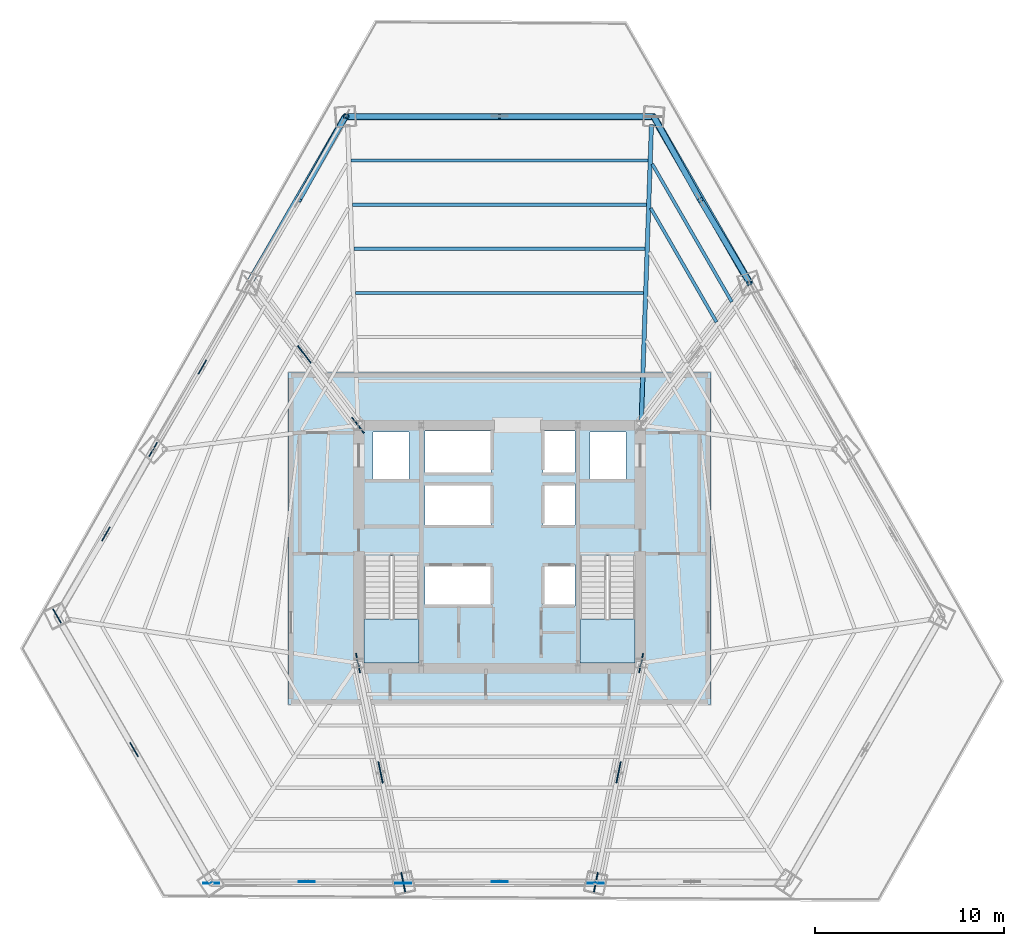
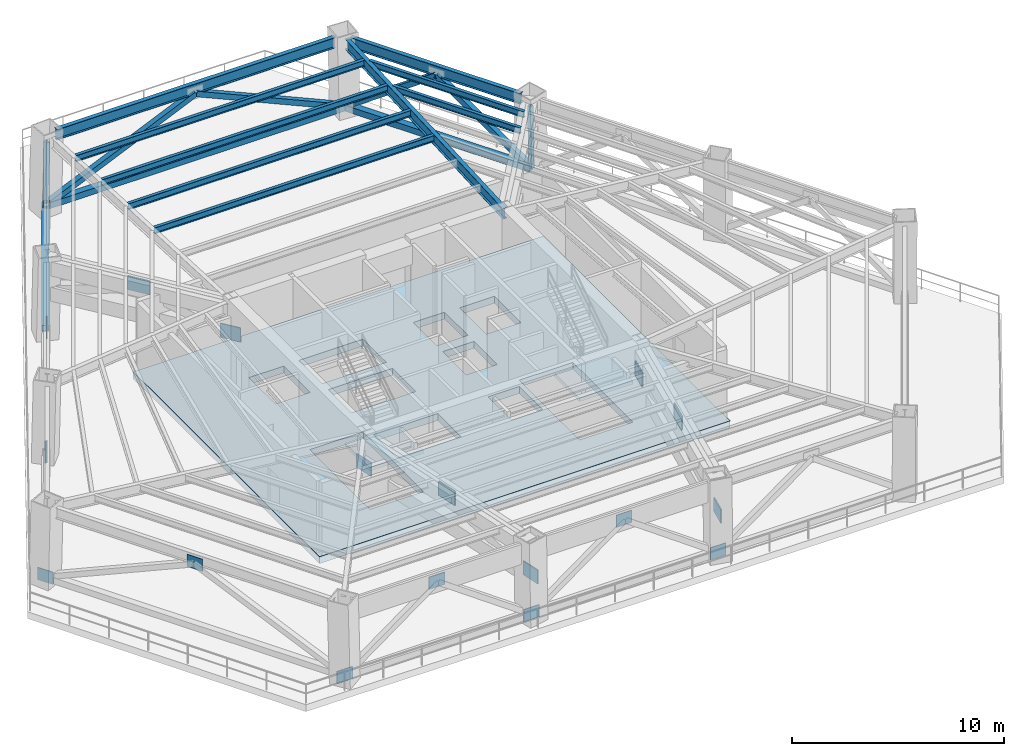
# One storey, part 6 of 13: 18 plates, 10 members, 9 beams, 3 slabs, 2 elements without a shape of their own.
"""IFC4 building model written with IfcOpenShell, lengths in metres."""

from ifc_helpers import new_model, si_unit, direction, frame, origin, origin_2d, place, context, subcontext, project, spatial, polyline, rectangle, hollow_rectangle, i_section, outline, extrude, source, transform, mapped, material, layer, layer_set, material_profile, profile_set, type_object, type_shapes, element, aggregate, save


model = new_model("IFC4")

# Units and contexts
model_context = context("Model", 3, precision=1e-05, world=origin(), true_north=direction((0.0, 1.0)))
body_context = subcontext(model_context, "Body", "Model", "MODEL_VIEW")
ifc_project = project(units=[si_unit("LENGTHUNIT", "METRE"), si_unit("AREAUNIT", "SQUARE_METRE"), si_unit("VOLUMEUNIT", "CUBIC_METRE"), si_unit("PLANEANGLEUNIT", "RADIAN"), si_unit("MASSUNIT", "GRAM", prefix="KILO")], contexts=[model_context])

# Site, building, storey
site_placement = place(None, origin())
site = spatial("IfcSite", under=ifc_project, at=site_placement, CompositionType="ELEMENT")
building_placement = place(site_placement, origin())
building = spatial("IfcBuilding", under=site, at=building_placement, Name="Caelisora Broadcast Tower", CompositionType="ELEMENT")
storey_placement = place(building_placement, frame((0.0, 0.0, 75.050048828125)))
storey = spatial("IfcBuildingStorey", under=building, at=storey_placement, Name="L19", CompositionType="ELEMENT", Elevation=75.050048828125)

# Beams
ifc_material_1 = material(Name="Steel Grade 350 (AS/NZS 3679.1)", Category="steel")
ifc_material_profile_1 = material_profile(ifc_material_1, i_section(OverallWidth=0.22900390625, OverallDepth=0.611572265625, WebThickness=0.011962890625, FlangeThickness=0.01953125, at=origin_2d()), Name="Steel Grade 350 (AS/NZS 3679.1)")
ifc_profile_set_1 = profile_set([ifc_material_profile_1], Name="Steel Grade 350 (AS/NZS 3679.1)")
beam_type_1 = type_object("IfcBeamType", Name="PG03", PredefinedType="BEAM", material=ifc_profile_set_1)
shared_shape_1 = source(origin(), body_context, "Body", "SweptSolid", [
    extrude(i_section(OverallWidth=0.22900390625, OverallDepth=0.611572265625, WebThickness=0.011962890625, FlangeThickness=0.01953125, at=origin_2d()), origin(), (0.0, 0.0, 1.0), 15.20703125),
])
beam_1_placement = place(storey_placement, frame((45.603515625, 46.364013671875, 4.244140625), z_axis=(-1.0, 0.0, 0.0), x_axis=(0.0, -1.0, 0.0)))
element("IfcBeam", 1, at=beam_1_placement, inside=storey, type_object=beam_type_1, Name="L19 beam PG03", PredefinedType="BEAM", context=body_context, shape_type="MappedRepresentation", body=[
    mapped(shared_shape_1, transform((0.0, 0.0, 0.0), scale=1.0)),
])
shared_shape_2 = source(origin(), body_context, "Body", "SweptSolid", [
    extrude(i_section(OverallWidth=0.22900390625, OverallDepth=0.611572265625, WebThickness=0.011962890625, FlangeThickness=0.01953125, at=origin_2d()), origin(), (0.0, 0.0, 1.0), 9.3037109375),
])
type_shapes(beam_type_1, [shared_shape_1, shared_shape_2])
beam_2_placement = place(storey_placement, frame((50.9453125, 37.908203125, 4.244140625), z_axis=(-0.499994274208, 0.866028709547, 0.0), x_axis=(-0.866028709547, -0.499994274208, 0.0)))
element("IfcBeam", 2, at=beam_2_placement, inside=storey, type_object=beam_type_1, Name="L19 beam PG03", PredefinedType="BEAM", context=body_context, shape_type="MappedRepresentation", body=[
    mapped(shared_shape_2, transform((0.0, 0.0, 0.0), scale=1.0)),
])
ifc_material_profile_2 = material_profile(ifc_material_1, i_section(OverallWidth=0.22802734375, OverallDepth=0.602294921875, WebThickness=0.010498046875, FlangeThickness=0.014892578125, at=origin_2d()), Name="Steel Grade 350 (AS/NZS 3679.1)")
ifc_profile_set_2 = profile_set([ifc_material_profile_2], Name="Steel Grade 350 (AS/NZS 3679.1)")
beam_type_2 = type_object("IfcBeamType", Name="PG04", PredefinedType="BEAM", material=ifc_profile_set_2)
shared_shape_3 = source(origin(), body_context, "Body", "SweptSolid", [
    extrude(i_section(OverallWidth=0.22802734375, OverallDepth=0.602294921875, WebThickness=0.010498046875, FlangeThickness=0.014892578125, at=origin_2d()), origin(), (0.0, 0.0, 1.0), 15.8935546875),
])
type_shapes(beam_type_2, [shared_shape_3])
beam_3_placement = place(storey_placement, frame((45.502197265625, 30.06005859375, 4.248779296875), z_axis=(0.034393497447, 0.999408368653, 0.0), x_axis=(-0.999408368653, 0.034393497447, 0.0)))
element("IfcBeam", 3, at=beam_3_placement, inside=storey, type_object=beam_type_2, Name="L19 beam PG04", PredefinedType="BEAM", context=body_context, shape_type="MappedRepresentation", body=[
    mapped(shared_shape_3, transform((0.0, 0.0, 0.0), scale=1.0)),
])
ifc_material_profile_3 = material_profile(ifc_material_1, i_section(OverallWidth=0.172119140625, OverallDepth=0.358642578125, WebThickness=0.008056640625, FlangeThickness=0.012939453125, at=origin_2d()), Name="Steel Grade 350 (AS/NZS 3679.1)")
ifc_profile_set_3 = profile_set([ifc_material_profile_3], Name="Steel Grade 350 (AS/NZS 3679.1)")
beam_type_3 = type_object("IfcBeamType", Name="SB02", PredefinedType="JOIST", material=ifc_profile_set_3)
shared_shape_4 = source(origin(), body_context, "Body", "SweptSolid", [
    extrude(i_section(OverallWidth=0.172119140625, OverallDepth=0.358642578125, WebThickness=0.008056640625, FlangeThickness=0.012939453125, at=origin_2d()), origin(), (0.0, 0.0, 1.0), 15.2607421875),
])
beam_4_placement = place(storey_placement, frame((45.63037109375, 37.01318359375, 4.37060546875), z_axis=(-1.0, 0.0, 0.0), x_axis=(0.0, -1.0, 0.0)))
element("IfcBeam", 4, at=beam_4_placement, inside=storey, type_object=beam_type_3, Name="L19 beam SB02", PredefinedType="JOIST", context=body_context, shape_type="MappedRepresentation", body=[
    mapped(shared_shape_4, transform((0.0, 0.0, 0.0), scale=1.0)),
])
shared_shape_5 = source(origin(), body_context, "Body", "SweptSolid", [
    extrude(i_section(OverallWidth=0.172119140625, OverallDepth=0.358642578125, WebThickness=0.008056640625, FlangeThickness=0.012939453125, at=origin_2d()), origin(), (0.0, 0.0, 1.0), 15.42138671875),
])
beam_5_placement = place(storey_placement, frame((45.710693359375, 39.350830078125, 4.37060546875), z_axis=(-1.0, 0.0, 0.0), x_axis=(0.0, -1.0, 0.0)))
element("IfcBeam", 5, at=beam_5_placement, inside=storey, type_object=beam_type_3, Name="L19 beam SB02", PredefinedType="JOIST", context=body_context, shape_type="MappedRepresentation", body=[
    mapped(shared_shape_5, transform((0.0, 0.0, 0.0), scale=1.0)),
])
shared_shape_6 = source(origin(), body_context, "Body", "SweptSolid", [
    extrude(i_section(OverallWidth=0.172119140625, OverallDepth=0.358642578125, WebThickness=0.008056640625, FlangeThickness=0.012939453125, at=origin_2d()), origin(), (0.0, 0.0, 1.0), 15.58251953125),
])
beam_6_placement = place(storey_placement, frame((45.791259765625, 41.688720703125, 4.37060546875), z_axis=(-1.0, 0.0, 0.0), x_axis=(0.0, -1.0, 0.0)))
element("IfcBeam", 6, at=beam_6_placement, inside=storey, type_object=beam_type_3, Name="L19 beam SB02", PredefinedType="JOIST", context=body_context, shape_type="MappedRepresentation", body=[
    mapped(shared_shape_6, transform((0.0, 0.0, 0.0), scale=1.0)),
])
shared_shape_7 = source(origin(), body_context, "Body", "SweptSolid", [
    extrude(i_section(OverallWidth=0.172119140625, OverallDepth=0.358642578125, WebThickness=0.008056640625, FlangeThickness=0.012939453125, at=origin_2d()), origin(), (0.0, 0.0, 1.0), 15.74365234375),
])
beam_7_placement = place(storey_placement, frame((45.871826171875, 44.0263671875, 4.37060546875), z_axis=(-1.0, 0.0, 0.0), x_axis=(0.0, -1.0, 0.0)))
element("IfcBeam", 7, at=beam_7_placement, inside=storey, type_object=beam_type_3, Name="L19 beam SB02", PredefinedType="JOIST", context=body_context, shape_type="MappedRepresentation", body=[
    mapped(shared_shape_7, transform((0.0, 0.0, 0.0), scale=1.0)),
])
shared_shape_8 = source(origin(), body_context, "Body", "SweptSolid", [
    extrude(i_section(OverallWidth=0.172119140625, OverallDepth=0.358642578125, WebThickness=0.008056640625, FlangeThickness=0.012939453125, at=origin_2d()), origin(), (0.0, 0.0, 1.0), 6.9697265625),
])
beam_8_placement = place(storey_placement, frame((49.493408203125, 35.46875, 4.37060546875), z_axis=(-0.500004447669, 0.866022835906, 0.0), x_axis=(-0.866022835906, -0.500004447669, 0.0)))
element("IfcBeam", 8, at=beam_8_placement, inside=storey, type_object=beam_type_3, Name="L19 beam SB02", PredefinedType="JOIST", context=body_context, shape_type="MappedRepresentation", body=[
    mapped(shared_shape_8, transform((0.0, 0.0, 0.0), scale=1.0)),
])
shared_shape_9 = source(origin(), body_context, "Body", "SweptSolid", [
    extrude(i_section(OverallWidth=0.172119140625, OverallDepth=0.358642578125, WebThickness=0.008056640625, FlangeThickness=0.012939453125, at=origin_2d()), origin(), (0.0, 0.0, 1.0), 8.43017578125),
])
type_shapes(beam_type_3, [shared_shape_4, shared_shape_5, shared_shape_6, shared_shape_7, shared_shape_8, shared_shape_9])
beam_9_placement = place(storey_placement, frame((50.30419921875, 36.54150390625, 4.37060546875), z_axis=(-0.499998209175, 0.866026437715, 0.0), x_axis=(-0.866026437715, -0.499998209175, 0.0)))
element("IfcBeam", 9, at=beam_9_placement, inside=storey, type_object=beam_type_3, Name="L19 beam SB02", PredefinedType="JOIST", context=body_context, shape_type="MappedRepresentation", body=[
    mapped(shared_shape_9, transform((0.0, 0.0, 0.0), scale=1.0)),
])

# Members
ifc_material_2 = material(Name="Steel Grade 350 (AS/NZS 1163 C350L0)", Category="steel")
ifc_material_profile_4 = material_profile(ifc_material_2, hollow_rectangle(XDim=0.35009765625, YDim=0.35009765625, WallThickness=0.01611328125, at=origin_2d()), Name="Steel Grade 350 (AS/NZS 1163 C350L0)")
ifc_profile_set_4 = profile_set([ifc_material_profile_4], Name="Steel Grade 350 (AS/NZS 1163 C350L0)")
member_type_1 = type_object("IfcMemberType", Name="OR05", PredefinedType="CHORD", material=ifc_profile_set_4)
shared_shape_10 = source(origin(), body_context, "Body", "SweptSolid", [
    extrude(hollow_rectangle(XDim=0.35009765625, YDim=0.35009765625, WallThickness=0.01611328125, at=origin_2d()), origin(), (0.0, 0.0, 1.0), 16.33935546875),
])
member_1_placement = place(storey_placement, frame((46.169677734375, 46.356201171875, 0.349853515625), z_axis=(-1.0, 0.0, 0.0), x_axis=(0.0, -1.0, 0.0)))
element("IfcMember", 10, at=member_1_placement, inside=storey, type_object=member_type_1, Name="L19 belt chord OR05", PredefinedType="CHORD", context=body_context, shape_type="MappedRepresentation", body=[
    mapped(shared_shape_10, transform((0.0, 0.0, 0.0), scale=1.0)),
])
ifc_material_profile_5 = material_profile(ifc_material_2, hollow_rectangle(XDim=0.300048828125, YDim=0.300048828125, WallThickness=0.012451171875, at=origin_2d()), Name="Steel Grade 350 (AS/NZS 1163 C350L0)")
ifc_profile_set_5 = profile_set([ifc_material_profile_5], Name="Steel Grade 350 (AS/NZS 1163 C350L0)")
member_type_2 = type_object("IfcMemberType", Name="OR06", PredefinedType="STRUT", material=ifc_profile_set_5)
shared_shape_11 = source(origin(), body_context, "Body", "SweptSolid", [
    extrude(hollow_rectangle(XDim=0.300048828125, YDim=0.300048828125, WallThickness=0.012451171875, at=origin_2d()), origin(), (0.0, 0.0, 1.0), 8.935791015625),
])
for number, where, z_axis, x_axis, name in (
    (11, (46.169677734375, 46.356201171875, 0.349853515625), (-0.914261420413, 0.000710360605, 0.40512411744), (-0.000776977323, -0.999999698153, 0.0), "L19 belt diagonal OR06"),
    (12, (29.830322265625, 46.356201171875, 0.349853515625), (0.914261420413, 0.000710360605, 0.40512411744), (-0.000776977323, 0.999999698153, 0.0), "L19 belt diagonal OR06"),
):
    element("IfcMember", number, at=place(storey_placement, frame(where, z_axis=z_axis, x_axis=x_axis)), inside=storey, type_object=member_type_2, Name=name, PredefinedType="STRUT", context=body_context, shape_type="MappedRepresentation", body=[
        mapped(shared_shape_11, transform((0.0, 0.0, 0.0), scale=1.0)),
    ])
shared_shape_12 = source(origin(), body_context, "Body", "SweptSolid", [
    extrude(hollow_rectangle(XDim=0.35009765625, YDim=0.35009765625, WallThickness=0.01611328125, at=origin_2d()), origin(), (0.0, 0.0, 1.0), 10.184326171875),
])
type_shapes(member_type_1, [shared_shape_10, shared_shape_12])
for number, where, z_axis, x_axis, name in (
    (13, (29.830322265625, 46.356201171875, 0.349853515625), (-0.49999360249, -0.866029097357, 0.0), (0.866029097357, -0.49999360249, 0.0), "L19 belt chord OR05"),
    (14, (51.26171875, 37.536376953125, 0.349853515625), (-0.49999360249, 0.866029097357, 0.0), (-0.866029097357, -0.49999360249, 0.0), "L19 belt chord OR05"),
):
    element("IfcMember", number, at=place(storey_placement, frame(where, z_axis=z_axis, x_axis=x_axis)), inside=storey, type_object=member_type_1, Name=name, PredefinedType="CHORD", context=body_context, shape_type="MappedRepresentation", body=[
        mapped(shared_shape_12, transform((0.0, 0.0, 0.0), scale=1.0)),
    ])
shared_shape_13 = source(origin(), body_context, "Body", "SweptSolid", [
    extrude(hollow_rectangle(XDim=0.300048828125, YDim=0.300048828125, WallThickness=0.012451171875, at=origin_2d()), origin(), (0.0, 0.0, 1.0), 6.2216796875),
])
for number, where, z_axis, x_axis, name in (
    (15, (29.830322265625, 46.356201171875, 0.349853515625), (-0.39664108219, -0.710014220533, 0.581855358796), (0.873012363828, -0.48769807525, 0.0), "L19 belt diagonal OR06"),
    (16, (46.169677734375, 46.356201171875, 0.349853515625), (0.396608014554, -0.710025271133, 0.581864414743), (0.873032906224, 0.487661301161, 0.0), "L19 belt diagonal OR06"),
):
    element("IfcMember", number, at=place(storey_placement, frame(where, z_axis=z_axis, x_axis=x_axis)), inside=storey, type_object=member_type_2, Name=name, PredefinedType="STRUT", context=body_context, shape_type="MappedRepresentation", body=[
        mapped(shared_shape_13, transform((0.0, 0.0, 0.0), scale=1.0)),
    ])
shared_shape_14 = source(origin(), body_context, "Body", "SweptSolid", [
    extrude(hollow_rectangle(XDim=0.300048828125, YDim=0.300048828125, WallThickness=0.012451171875, at=origin_2d()), origin(), (0.0, 0.0, 1.0), 6.27490234375),
])
type_shapes(member_type_2, [shared_shape_11, shared_shape_13, shared_shape_14])
member_2_placement = place(storey_placement, frame((51.26171875, 37.536376953125, 0.349853515625), z_axis=(-0.418257825074, 0.701583730394, 0.57692344467), x_axis=(-0.858943750908, -0.512069949105, 0.0)))
element("IfcMember", 17, at=member_2_placement, inside=storey, type_object=member_type_2, Name="L19 belt diagonal OR06", PredefinedType="STRUT", context=body_context, shape_type="MappedRepresentation", body=[
    mapped(shared_shape_14, transform((0.0, 0.0, 0.0), scale=1.0)),
])
ifc_material_profile_6 = material_profile(ifc_material_2, hollow_rectangle(XDim=0.199951171875, YDim=0.199951171875, WallThickness=0.009033203125, at=origin_2d()), Name="Steel Grade 350 (AS/NZS 1163 C350L0)")
ifc_profile_set_6 = profile_set([ifc_material_profile_6], Name="Steel Grade 350 (AS/NZS 1163 C350L0)")
member_type_3 = type_object("IfcMemberType", Name="TR14", PredefinedType="POST", material=ifc_profile_set_6)
shared_shape_15 = source(origin(), body_context, "Body", "SweptSolid", [
    extrude(hollow_rectangle(XDim=0.199951171875, YDim=0.199951171875, WallThickness=0.009033203125, at=origin_2d()), origin(), (0.0, 0.0, 1.0), 3.62109375),
])
member_3_placement = place(storey_placement, frame((29.830322265625, 46.356201171875, 0.349853515625), z_axis=(0.023866915103, 0.001752937267, 0.999713607777), x_axis=(-0.073249027479, 0.997313681834, 0.0)))
element("IfcMember", 18, at=member_3_placement, inside=storey, type_object=member_type_3, Name="L19 transfer post TR14", PredefinedType="POST", context=body_context, shape_type="MappedRepresentation", body=[
    mapped(shared_shape_15, transform((0.0, 0.0, 0.0), scale=1.0)),
])
shared_shape_16 = source(origin(), body_context, "Body", "SweptSolid", [
    extrude(hollow_rectangle(XDim=0.199951171875, YDim=0.199951171875, WallThickness=0.009033203125, at=origin_2d()), origin(), (0.0, 0.0, 1.0), 3.620849609375),
])
type_shapes(member_type_3, [shared_shape_15, shared_shape_16])
member_4_placement = place(storey_placement, frame((51.26171875, 37.536376953125, 0.349853515625), z_axis=(-0.019418701638, -0.006000918215, 0.999793430168), x_axis=(0.295251213444, -0.955419656988, 0.0)))
element("IfcMember", 19, at=member_4_placement, inside=storey, type_object=member_type_3, Name="L19 transfer post TR14", PredefinedType="POST", context=body_context, shape_type="MappedRepresentation", body=[
    mapped(shared_shape_16, transform((0.0, 0.0, 0.0), scale=1.0)),
])

# Slab
ifc_material_3 = material(Name="Concrete 50 MPa (AS 3600 S50)", Category="concrete")
ifc_layer_1 = layer(ifc_material_3, 0.39990234375, Name="Concrete 50 MPa (AS 3600 S50)")
ifc_layer_set_1 = layer_set([ifc_layer_1], Name="Concrete 50 MPa (AS 3600 S50)")
slab_type_1 = type_object("IfcSlabType", Name="SL03", PredefinedType="FLOOR", material=ifc_layer_set_1)
slab_1_placement = place(storey_placement, frame((0.0, 0.0, -0.400146484375)))
element("IfcSlab", 20, at=slab_1_placement, inside=storey, type_object=slab_type_1, Name="L19 suspended floor SL03", PredefinedType="FLOOR", context=body_context, shape_type="SweptSolid", body=[
    extrude(outline(polyline([(26.800048828125, 15.199951171875), (26.800048828125, 32.800048828125), (49.199951171875, 32.800048828125), (49.199951171875, 15.199951171875), (26.800048828125, 15.199951171875)]), holes=[polyline([(30.820068359375, 17.39990234375), (33.739990234375, 17.39990234375), (33.739990234375, 23.080078125), (30.820068359375, 23.080078125), (30.820068359375, 17.39990234375)]), polyline([(42.260009765625, 17.39990234375), (45.179931640625, 17.39990234375), (45.179931640625, 23.080078125), (42.260009765625, 23.080078125), (42.260009765625, 17.39990234375)]), polyline([(42.800048828125, 27.14990234375), (44.699951171875, 27.14990234375), (44.699951171875, 29.64990234375), (42.800048828125, 29.64990234375), (42.800048828125, 27.14990234375)]), polyline([(40.300048828125, 20.429931640625), (42.0, 20.429931640625), (42.0, 22.6298828125), (40.300048828125, 22.6298828125), (40.300048828125, 20.429931640625)]), polyline([(40.300048828125, 24.719970703125), (42.0, 24.719970703125), (42.0, 26.919921875), (40.300048828125, 26.919921875), (40.300048828125, 24.719970703125)]), polyline([(40.300048828125, 27.5), (42.0, 27.5), (42.0, 29.699951171875), (40.300048828125, 29.699951171875), (40.300048828125, 27.5)]), polyline([(34.050048828125, 20.429931640625), (37.550048828125, 20.429931640625), (37.550048828125, 22.6298828125), (34.050048828125, 22.6298828125), (34.050048828125, 20.429931640625)]), polyline([(34.050048828125, 24.719970703125), (37.550048828125, 24.719970703125), (37.550048828125, 26.919921875), (34.050048828125, 26.919921875), (34.050048828125, 24.719970703125)]), polyline([(34.050048828125, 27.5), (37.550048828125, 27.5), (37.550048828125, 29.699951171875), (34.050048828125, 29.699951171875), (34.050048828125, 27.5)]), polyline([(31.300048828125, 27.14990234375), (33.199951171875, 27.14990234375), (33.199951171875, 29.64990234375), (31.300048828125, 29.64990234375), (31.300048828125, 27.14990234375)])]), origin(), (0.0, 0.0, 1.0), 0.400146484375),
])

# Stair, slab
ifc_material_4 = material(Name="Concrete 40 MPa (AS 3600 N40)", Category="concrete")
stair_type_1 = type_object("IfcStairType", Name="ST-1", PredefinedType="HALF_TURN_STAIR", material=ifc_material_4)
stair_1_placement = place(storey_placement, origin())
stair_1 = element("IfcStair", 21, at=stair_1_placement, inside=storey, type_object=stair_type_1, Name="L19 West Fire-Isolated Tower Stair", PredefinedType="HALF_TURN_STAIR")
ifc_layer_2 = layer(ifc_material_4, 0.199951171875, Name="Concrete 40 MPa (AS 3600 N40)")
ifc_layer_set_2 = layer_set([ifc_layer_2], Name="Concrete 40 MPa (AS 3600 N40)")
slab_type_2 = type_object("IfcSlabType", Name="STL-1", PredefinedType="LANDING", material=ifc_layer_set_2)
slab_2_placement = place(storey_placement, frame((0.0, 0.0, 2.199951171875)))
slab_2 = element("IfcSlab", 22, at=slab_2_placement, type_object=slab_type_2, Name="ST-1 landing 1", PredefinedType="LANDING", context=body_context, shape_type="SweptSolid", body=[
    extrude(outline(polyline([(30.820068359375, 19.739990234375), (30.820068359375, 17.39990234375), (33.739990234375, 17.39990234375), (33.739990234375, 19.739990234375), (30.820068359375, 19.739990234375)])), origin(), (0.0, 0.0, 1.0), 0.199951171875),
])
aggregate(stair_1, [slab_2])

stair_type_2 = type_object("IfcStairType", Name="ST-2", PredefinedType="HALF_TURN_STAIR", material=ifc_material_4)
stair_2_placement = place(storey_placement, origin())
stair_2 = element("IfcStair", 23, at=stair_2_placement, inside=storey, type_object=stair_type_2, Name="L19 East Fire-Isolated Tower Stair", PredefinedType="HALF_TURN_STAIR")
slab_3_placement = place(storey_placement, frame((0.0, 0.0, 2.199951171875)))
slab_3 = element("IfcSlab", 24, at=slab_3_placement, type_object=slab_type_2, Name="ST-2 landing 1", PredefinedType="LANDING", context=body_context, shape_type="SweptSolid", body=[
    extrude(outline(polyline([(42.260009765625, 19.739990234375), (42.260009765625, 17.39990234375), (45.179931640625, 17.39990234375), (45.179931640625, 19.739990234375), (42.260009765625, 19.739990234375)])), origin(), (0.0, 0.0, 1.0), 0.199951171875),
])
aggregate(stair_2, [slab_3])

# Plates
ifc_material_5 = material(Name="Steel Grade 350 L15 (AS/NZS 3678)", Category="steel")
ifc_layer_3 = layer(ifc_material_5, 0.050048828125, Name="Steel Grade 350 L15 (AS/NZS 3678)")
ifc_layer_set_3 = layer_set([ifc_layer_3], Name="Steel Grade 350 L15 (AS/NZS 3678)")
plate_type_1 = type_object("IfcPlateType", Name="GP03", PredefinedType="USERDEFINED", material=ifc_layer_set_3)
shared_shape_17 = source(origin(), body_context, "Body", "SweptSolid", [
    extrude(rectangle(XDim=0.85009765625, YDim=0.050048828125, at=origin_2d()), origin(), (0.0, 0.0, 1.0), 0.699951171875),
])
type_shapes(plate_type_1, [shared_shape_17])
for number, where, z_axis, x_axis, name in (
    (25, (22.25439453125, 33.0908203125, 3.6201171875), (0.0, 0.0, 1.0), (-0.5, -0.866025403784, 0.0), "L19 gusset plate GP03 (ND-BT-L19-03M)"),
    (26, (19.646240234375, 28.716796875, 0.0), (0.0, 0.0, 1.0), (-0.5, -0.866025403784, 0.0), "L19 gusset plate GP03 (ND-BT-L19-04B)"),
    (27, (17.14599609375, 24.242919921875, 3.6201171875), (0.0, 0.0, 1.0), (-0.5, -0.866025403784, 0.0), "L19 gusset plate GP03 (ND-BT-L19-04M)"),
    (28, (14.55419921875, 19.897216796875, 0.0), (0.0, 0.0, 1.0), (0.5, -0.866025403784, 0.0), "L19 gusset plate GP03 (ND-BT-L19-05B)"),
    (29, (18.633544921875, 12.818603515625, 3.6201171875), (0.0, 0.0, 1.0), (0.5, -0.866025403784, 0.0), "L19 gusset plate GP03 (ND-BT-L19-05M)"),
    (30, (22.723876953125, 5.746826171875, 0.0), (0.0, 0.0, 1.0), (1.0, 0.0, 0.0), "L19 gusset plate GP03 (ND-BT-L19-06B)"),
    (31, (27.783447265625, 5.818603515625, 3.6201171875), (0.0, 0.0, 1.0), (1.0, 0.0, 0.0), "L19 gusset plate GP03 (ND-BT-L19-06M)"),
    (32, (32.907958984375, 5.746826171875, 0.0), (0.0, 0.0, 1.0), (1.0, 0.0, 0.0), "L19 gusset plate GP03 (ND-BT-L19-07B)"),
    (33, (38.0, 5.818603515625, 3.6201171875), (0.0, 0.0, 1.0), (1.0, 0.0, 0.0), "L19 gusset plate GP03 (ND-BT-L19-07M)"),
    (34, (43.092041015625, 5.746826171875, 0.0), (0.0, 0.0, 1.0), (1.0, 0.0, 0.0), "L19 gusset plate GP03 (ND-BT-L19-08B)"),
):
    element("IfcPlate", number, at=place(storey_placement, frame(where, z_axis=z_axis, x_axis=x_axis)), inside=storey, type_object=plate_type_1, Name=name, ObjectType="GUSSET PLATE", PredefinedType="USERDEFINED", context=body_context, shape_type="MappedRepresentation", body=[
        mapped(shared_shape_17, transform((0.0, 0.0, 0.0), scale=1.0)),
    ])
ifc_layer_4 = layer(ifc_material_5, 0.06005859375, Name="Steel Grade 350 L15 (AS/NZS 3678)")
ifc_layer_set_4 = layer_set([ifc_layer_4], Name="Steel Grade 350 L15 (AS/NZS 3678)")
plate_type_2 = type_object("IfcPlateType", Name="GP02", PredefinedType="USERDEFINED", material=ifc_layer_set_4)
shared_shape_18 = source(origin(), body_context, "Body", "SweptSolid", [
    extrude(rectangle(XDim=1.050048828125, YDim=0.06005859375, at=origin_2d()), origin(), (0.0, 0.0, 1.0), 0.800048828125),
])
for number, where, z_axis, x_axis, name in (
    (35, (30.5, 17.39990234375, 2.27978515625), (0.0, 0.0, 1.0), (0.202274547718, -0.979328855567, 0.0), "L19 gusset plate GP02 (ND-OR-L19-1A)"),
    (36, (32.8974609375, 5.79296875, 2.27978515625), (0.0, 0.0, 1.0), (0.202274547718, -0.979328855567, 0.0), "L19 gusset plate GP02 (ND-OR-L19-1B)"),
    (37, (45.5, 17.39990234375, 2.27978515625), (0.0, 0.0, 1.0), (-0.202274547718, -0.979328855567, 0.0), "L19 gusset plate GP02 (ND-OR-L19-2A)"),
    (38, (43.1025390625, 5.79296875, 2.27978515625), (0.0, 0.0, 1.0), (-0.202274547718, -0.979328855567, 0.0), "L19 gusset plate GP02 (ND-OR-L19-2B)"),
    (39, (30.5, 30.0, 2.27978515625), (0.0, 0.0, 1.0), (-0.605016094056, 0.796213241496, 0.0), "L19 gusset plate GP02 (ND-OR-L19-4A)"),
):
    element("IfcPlate", number, at=place(storey_placement, frame(where, z_axis=z_axis, x_axis=x_axis)), inside=storey, type_object=plate_type_2, Name=name, ObjectType="GUSSET PLATE", PredefinedType="USERDEFINED", context=body_context, shape_type="MappedRepresentation", body=[
        mapped(shared_shape_18, transform((0.0, 0.0, 0.0), scale=1.0)),
    ])
shared_shape_19 = source(origin(), body_context, "Body", "SweptSolid", [
    extrude(rectangle(XDim=1.14990234375, YDim=0.06005859375, at=origin_2d()), origin(), (0.0, 0.0, 1.0), 0.800048828125),
])
type_shapes(plate_type_2, [shared_shape_18, shared_shape_19])
for number, where, z_axis, x_axis, name in (
    (40, (31.695556640625, 11.61083984375, 3.72998046875), (0.0, 0.0, 1.0), (0.202274547718, -0.979328855567, 0.0), "L19 gusset plate GP02 (ND-OR-L19-1M)"),
    (41, (44.304443359375, 11.61083984375, 3.72998046875), (0.0, 0.0, 1.0), (-0.202274547718, -0.979328855567, 0.0), "L19 gusset plate GP02 (ND-OR-L19-2M)"),
    (42, (27.65576171875, 33.7568359375, 3.72998046875), (0.0, 0.0, 1.0), (-0.605016094056, 0.796213241496, 0.0), "L19 gusset plate GP02 (ND-OR-L19-4M)"),
):
    element("IfcPlate", number, at=place(storey_placement, frame(where, z_axis=z_axis, x_axis=x_axis)), inside=storey, type_object=plate_type_2, Name=name, ObjectType="GUSSET PLATE", PredefinedType="USERDEFINED", context=body_context, shape_type="MappedRepresentation", body=[
        mapped(shared_shape_19, transform((0.0, 0.0, 0.0), scale=1.0)),
    ])

save(model, "model.ifc")
